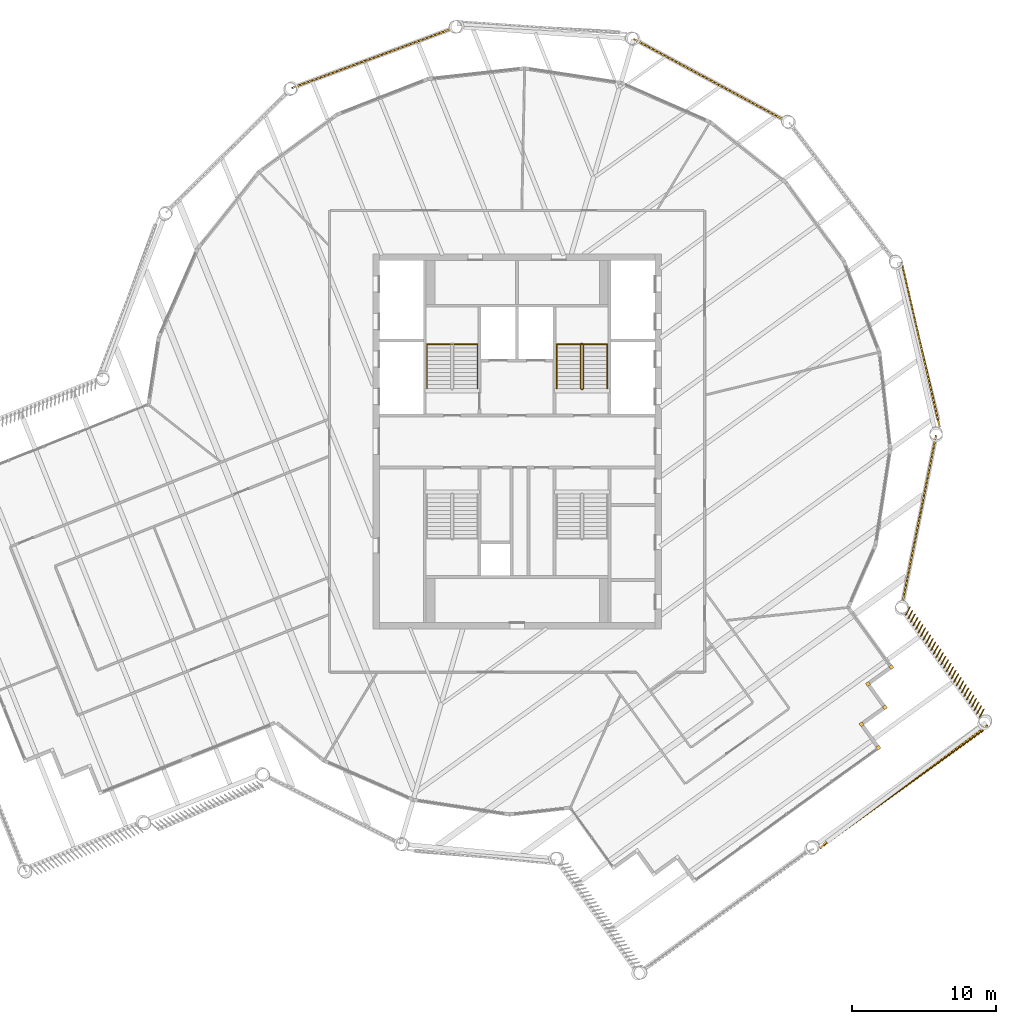
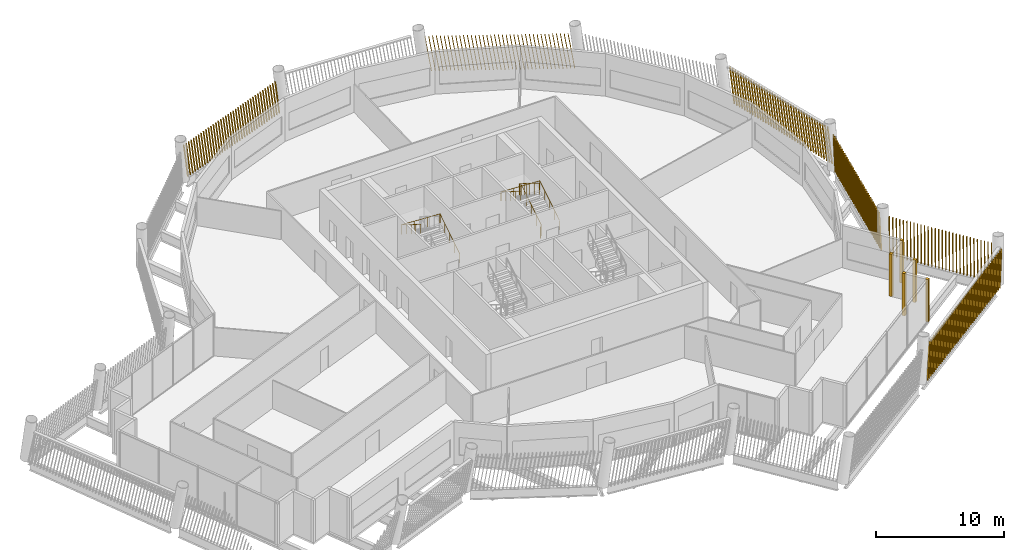
# One storey, part 25 of 27: 11 shading devices, 3 railings.
"""IFC4 building model written with IfcOpenShell, lengths in metres."""

from ifc_helpers import new_model, si_unit, direction, frame, frame_2d, origin, origin_2d, place, context, subcontext, project, spatial, rectangle, circle, composite_profile, extrude, material, type_object, element, save


model = new_model("IFC4")

# Units and contexts
model_context = context("Model", 3, precision=1e-05, world=origin(), true_north=direction((0.0, 1.0)))
body_context = subcontext(model_context, "Body", "Model", "MODEL_VIEW")
ifc_project = project(units=[si_unit("LENGTHUNIT", "METRE"), si_unit("AREAUNIT", "SQUARE_METRE"), si_unit("VOLUMEUNIT", "CUBIC_METRE"), si_unit("PLANEANGLEUNIT", "RADIAN"), si_unit("MASSUNIT", "GRAM", prefix="KILO")], contexts=[model_context])

# Site, building, storey
site_placement = place(None, origin())
site = spatial("IfcSite", under=ifc_project, at=site_placement, CompositionType="ELEMENT")
building_placement = place(site_placement, origin())
building = spatial("IfcBuilding", under=site, at=building_placement, Name="Tarsis Ring Headquarters", CompositionType="ELEMENT")
storey_placement = place(building_placement, frame((0.0, 0.0, 373.39990234375)))
storey = spatial("IfcBuildingStorey", under=building, at=storey_placement, Name="L88", CompositionType="ELEMENT", Elevation=373.39990234375)

# Railings
ifc_material_1 = material(Name="Steel S355", Category="steel")
railing_type_1 = type_object("IfcRailingType", Name="Core stair guard 1100", PredefinedType="GUARDRAIL", material=ifc_material_1)
railing_1_placement = place(storey_placement, frame((4.4599609375, 3.610107421875, 0.0)))
element("IfcRailing", 1, at=railing_1_placement, inside=storey, type_object=railing_type_1, Name="L88 ST2 stair guard 1", PredefinedType="GUARDRAIL", context=body_context, shape_type="SweptSolid", body=[
    extrude(circle(Radius=0.02392578125, at=origin_2d()), frame((0.0, 0.0, 1.076171875), z_axis=(1.0, 0.0, 0.0), x_axis=(0.0, 1.0, 0.0)), (0.0, 0.0, 1.0), 0.080078125),
    extrude(circle(Radius=0.02392578125, at=origin_2d()), frame((0.080078125, 0.0, 1.076171875), z_axis=(0.265155923931, 0.263862480399, 0.927399011991), x_axis=(-0.705375805398, 0.708833529934, 0.0)), (0.0, 0.0, 1.0), 0.188720703125),
    extrude(circle(Radius=0.02392578125, at=origin_2d()), frame((0.130126953125, 0.0498046875, 1.2509765625), z_axis=(0.0, 0.847998304005, 0.529998940003), x_axis=(-1.0, 0.0, 0.0)), (0.0, 0.0, 1.0), 3.632080078125),
    extrude(circle(Radius=0.02392578125, at=origin_2d()), frame((0.130126953125, 3.1298828125, 3.17626953125), z_axis=(-0.707106781187, 0.707106781187, 0.0), x_axis=(-0.707106781187, -0.707106781187, 0.0)), (0.0, 0.0, 1.0), 0.07080078125),
    extrude(circle(Radius=0.02392578125, at=origin_2d()), frame((0.080078125, 3.179931640625, 3.17626953125), z_axis=(-1.0, 0.0, 0.0), x_axis=(0.0, -1.0, 0.0)), (0.0, 0.0, 1.0), 0.080078125),
    extrude(circle(Radius=0.02392578125, at=origin_2d()), frame((0.0, 3.179931640625, 3.17626953125), z_axis=(-0.265065253269, -0.265065253269, 0.927081885822), x_axis=(0.707106781187, -0.707106781187, 0.0)), (0.0, 0.0, 1.0), 0.188720703125),
    extrude(circle(Radius=0.02392578125, at=origin_2d()), frame((-0.050048828125, 3.1298828125, 3.35107421875), z_axis=(0.0, -0.847998304005, 0.529998940003), x_axis=(1.0, 0.0, 0.0)), (0.0, 0.0, 1.0), 3.632080078125),
    extrude(circle(Radius=0.02099609375, at=origin_2d()), origin(), (0.0, 0.0, 1.0), 1.052001953125),
    extrude(circle(Radius=0.02099609375, at=origin_2d()), frame((0.080078125, 0.0, 0.0)), (0.0, 0.0, 1.0), 1.052001953125),
    extrude(circle(Radius=0.02099609375, at=origin_2d()), frame((0.130126953125, 0.0498046875, 0.175048828125)), (0.0, 0.0, 1.0), 1.052001953125),
    extrude(circle(Radius=0.02099609375, at=origin_2d()), frame((0.130126953125, 0.81982421875, 0.65625)), (0.0, 0.0, 1.0), 1.052001953125),
    extrude(circle(Radius=0.02099609375, at=origin_2d()), frame((0.130126953125, 1.58984375, 1.1376953125)), (0.0, 0.0, 1.0), 1.052001953125),
    extrude(circle(Radius=0.02099609375, at=origin_2d()), frame((0.130126953125, 2.35986328125, 1.618896484375)), (0.0, 0.0, 1.0), 1.052001953125),
    extrude(circle(Radius=0.02099609375, at=origin_2d()), frame((0.130126953125, 3.1298828125, 2.10009765625)), (0.0, 0.0, 1.0), 1.052001953125),
    extrude(circle(Radius=0.02099609375, at=origin_2d()), frame((0.080078125, 3.179931640625, 2.10009765625)), (0.0, 0.0, 1.0), 1.052001953125),
    extrude(circle(Radius=0.02099609375, at=origin_2d()), frame((0.0, 3.179931640625, 2.10009765625)), (0.0, 0.0, 1.0), 1.052001953125),
    extrude(circle(Radius=0.02099609375, at=origin_2d()), frame((-0.050048828125, 3.1298828125, 2.275146484375)), (0.0, 0.0, 1.0), 1.052001953125),
    extrude(circle(Radius=0.02099609375, at=origin_2d()), frame((-0.050048828125, 2.35986328125, 2.75634765625)), (0.0, 0.0, 1.0), 1.052001953125),
    extrude(circle(Radius=0.02099609375, at=origin_2d()), frame((-0.050048828125, 1.58984375, 3.23779296875)), (0.0, 0.0, 1.0), 1.052001953125),
    extrude(circle(Radius=0.02099609375, at=origin_2d()), frame((-0.050048828125, 0.81982421875, 3.718994140625)), (0.0, 0.0, 1.0), 1.052001953125),
    extrude(circle(Radius=0.02099609375, at=origin_2d()), frame((-0.050048828125, 0.0498046875, 4.2001953125)), (0.0, 0.0, 1.0), 1.052001953125),
])
railing_type_2 = type_object("IfcRailingType", Name="Core stair handrail 900", PredefinedType="HANDRAIL", material=ifc_material_1)
railing_2_placement = place(storey_placement, frame((-2.75, 3.659912109375, 0.175048828125)))
element("IfcRailing", 2, at=railing_2_placement, inside=storey, type_object=railing_type_2, Name="L88 ST1 stair handrail 1", PredefinedType="HANDRAIL", context=body_context, shape_type="SweptSolid", body=[
    extrude(circle(Radius=0.02392578125, at=origin_2d()), frame((0.0, 0.0, 0.8759765625), z_axis=(0.0, 0.847998304005, 0.529998940003), x_axis=(-1.0, 0.0, 0.0)), (0.0, 0.0, 1.0), 3.632080078125),
    extrude(circle(Radius=0.02392578125, at=origin_2d()), frame((0.0, 3.080078125, 2.80078125), z_axis=(-0.998751643845, 0.0, 0.049951515669), x_axis=(0.0, -1.0, 0.0)), (0.0, 0.0, 1.0), 3.50439453125),
    extrude(circle(Radius=0.02392578125, at=origin_2d()), frame((-3.5, 3.080078125, 2.97607421875), z_axis=(0.0, -0.847998304005, 0.529998940003), x_axis=(1.0, 0.0, 0.0)), (0.0, 0.0, 1.0), 3.632080078125),
    extrude(circle(Radius=0.02099609375, at=origin_2d()), origin(), (0.0, 0.0, 1.0), 0.851806640625),
    extrude(circle(Radius=0.02099609375, at=origin_2d()), frame((0.0, 0.77001953125, 0.481201171875)), (0.0, 0.0, 1.0), 0.851806640625),
    extrude(circle(Radius=0.02099609375, at=origin_2d()), frame((0.0, 1.5400390625, 0.96240234375)), (0.0, 0.0, 1.0), 0.851806640625),
    extrude(circle(Radius=0.02099609375, at=origin_2d()), frame((0.0, 2.31005859375, 1.44384765625)), (0.0, 0.0, 1.0), 0.851806640625),
    extrude(circle(Radius=0.02099609375, at=origin_2d()), frame((0.0, 3.080078125, 1.925048828125)), (0.0, 0.0, 1.0), 0.851806640625),
    extrude(circle(Radius=0.02099609375, at=origin_2d()), frame((-1.166748046875, 3.080078125, 1.9833984375)), (0.0, 0.0, 1.0), 0.851806640625),
    extrude(circle(Radius=0.02099609375, at=origin_2d()), frame((-2.333251953125, 3.080078125, 2.041748046875)), (0.0, 0.0, 1.0), 0.851806640625),
    extrude(circle(Radius=0.02099609375, at=origin_2d()), frame((-3.5, 3.080078125, 2.10009765625)), (0.0, 0.0, 1.0), 0.851806640625),
    extrude(circle(Radius=0.02099609375, at=origin_2d()), frame((-3.5, 2.31005859375, 2.581298828125)), (0.0, 0.0, 1.0), 0.851806640625),
    extrude(circle(Radius=0.02099609375, at=origin_2d()), frame((-3.5, 1.5400390625, 3.0625)), (0.0, 0.0, 1.0), 0.851806640625),
    extrude(circle(Radius=0.02099609375, at=origin_2d()), frame((-3.5, 0.77001953125, 3.5439453125)), (0.0, 0.0, 1.0), 0.851806640625),
    extrude(circle(Radius=0.02099609375, at=origin_2d()), frame((-3.5, 0.0, 4.025146484375)), (0.0, 0.0, 1.0), 0.851806640625),
])
railing_3_placement = place(storey_placement, frame((6.25, 3.659912109375, 0.175048828125)))
element("IfcRailing", 3, at=railing_3_placement, inside=storey, type_object=railing_type_2, Name="L88 ST2 stair handrail 1", PredefinedType="HANDRAIL", context=body_context, shape_type="SweptSolid", body=[
    extrude(circle(Radius=0.02392578125, at=origin_2d()), frame((0.0, 0.0, 0.8759765625), z_axis=(0.0, 0.847998304005, 0.529998940003), x_axis=(-1.0, 0.0, 0.0)), (0.0, 0.0, 1.0), 3.632080078125),
    extrude(circle(Radius=0.02392578125, at=origin_2d()), frame((0.0, 3.080078125, 2.80078125), z_axis=(-0.998751643845, 0.0, 0.049951515669), x_axis=(0.0, -1.0, 0.0)), (0.0, 0.0, 1.0), 3.50439453125),
    extrude(circle(Radius=0.02392578125, at=origin_2d()), frame((-3.5, 3.080078125, 2.97607421875), z_axis=(0.0, -0.847998304005, 0.529998940003), x_axis=(1.0, 0.0, 0.0)), (0.0, 0.0, 1.0), 3.632080078125),
    extrude(circle(Radius=0.02099609375, at=origin_2d()), origin(), (0.0, 0.0, 1.0), 0.851806640625),
    extrude(circle(Radius=0.02099609375, at=origin_2d()), frame((0.0, 0.77001953125, 0.481201171875)), (0.0, 0.0, 1.0), 0.851806640625),
    extrude(circle(Radius=0.02099609375, at=origin_2d()), frame((0.0, 1.5400390625, 0.96240234375)), (0.0, 0.0, 1.0), 0.851806640625),
    extrude(circle(Radius=0.02099609375, at=origin_2d()), frame((0.0, 2.31005859375, 1.44384765625)), (0.0, 0.0, 1.0), 0.851806640625),
    extrude(circle(Radius=0.02099609375, at=origin_2d()), frame((0.0, 3.080078125, 1.925048828125)), (0.0, 0.0, 1.0), 0.851806640625),
    extrude(circle(Radius=0.02099609375, at=origin_2d()), frame((-1.166748046875, 3.080078125, 1.9833984375)), (0.0, 0.0, 1.0), 0.851806640625),
    extrude(circle(Radius=0.02099609375, at=origin_2d()), frame((-2.333251953125, 3.080078125, 2.041748046875)), (0.0, 0.0, 1.0), 0.851806640625),
    extrude(circle(Radius=0.02099609375, at=origin_2d()), frame((-3.5, 3.080078125, 2.10009765625)), (0.0, 0.0, 1.0), 0.851806640625),
    extrude(circle(Radius=0.02099609375, at=origin_2d()), frame((-3.5, 2.31005859375, 2.581298828125)), (0.0, 0.0, 1.0), 0.851806640625),
    extrude(circle(Radius=0.02099609375, at=origin_2d()), frame((-3.5, 1.5400390625, 3.0625)), (0.0, 0.0, 1.0), 0.851806640625),
    extrude(circle(Radius=0.02099609375, at=origin_2d()), frame((-3.5, 0.77001953125, 3.5439453125)), (0.0, 0.0, 1.0), 0.851806640625),
    extrude(circle(Radius=0.02099609375, at=origin_2d()), frame((-3.5, 0.0, 4.025146484375)), (0.0, 0.0, 1.0), 0.851806640625),
])

# Shading devices
ifc_material_2 = material(Name="Terracotta baguette", Category="masonry")
shading_device_type_1 = type_object("IfcShadingDeviceType", Name="Terracotta baguette screen", PredefinedType="USERDEFINED", material=ifc_material_2)
shading_device_1_placement = place(storey_placement, frame((21.001220703125, -28.221923828125, 0.0), z_axis=(0.0, 0.0, 1.0), x_axis=(0.810664496497, 0.585521194537, 0.0)))
element("IfcShadingDevice", 4, at=shading_device_1_placement, inside=storey, type_object=shading_device_type_1, Name="Baguette screen L88-03", ObjectType="Terracotta baguette screen", PredefinedType="USERDEFINED", context=body_context, shape_type="SweptSolid", body=[
    extrude(composite_profile([rectangle(XDim=0.06005859375, YDim=0.1201171875, at=frame_2d((0.030029296875, 0.0))), rectangle(XDim=0.06005859375, YDim=0.1201171875, at=frame_2d((0.33544921875, 0.0))), rectangle(XDim=0.06005859375, YDim=0.1201171875, at=frame_2d((0.640625, 0.0))), rectangle(XDim=0.06005859375, YDim=0.1201171875, at=frame_2d((0.946044921875, 0.0))), rectangle(XDim=0.06005859375, YDim=0.1201171875, at=frame_2d((1.25146484375, 0.0))), rectangle(XDim=0.06005859375, YDim=0.1201171875, at=frame_2d((1.556640625, 0.0))), rectangle(XDim=0.06005859375, YDim=0.1201171875, at=frame_2d((1.862060546875, 0.0))), rectangle(XDim=0.06005859375, YDim=0.1201171875, at=frame_2d((2.16748046875, 0.0))), rectangle(XDim=0.06005859375, YDim=0.1201171875, at=frame_2d((2.47265625, 0.0))), rectangle(XDim=0.06005859375, YDim=0.1201171875, at=frame_2d((2.778076171875, 0.0))), rectangle(XDim=0.06005859375, YDim=0.1201171875, at=frame_2d((3.08349609375, 0.0))), rectangle(XDim=0.06005859375, YDim=0.1201171875, at=frame_2d((3.388671875, 0.0))), rectangle(XDim=0.06005859375, YDim=0.1201171875, at=frame_2d((3.694091796875, 0.0))), rectangle(XDim=0.06005859375, YDim=0.1201171875, at=frame_2d((3.99951171875, 0.0))), rectangle(XDim=0.06005859375, YDim=0.1201171875, at=frame_2d((4.3046875, 0.0))), rectangle(XDim=0.06005859375, YDim=0.1201171875, at=frame_2d((4.610107421875, 0.0))), rectangle(XDim=0.06005859375, YDim=0.1201171875, at=frame_2d((4.91552734375, 0.0))), rectangle(XDim=0.06005859375, YDim=0.1201171875, at=frame_2d((5.220703125, 0.0))), rectangle(XDim=0.06005859375, YDim=0.1201171875, at=frame_2d((5.526123046875, 0.0))), rectangle(XDim=0.06005859375, YDim=0.1201171875, at=frame_2d((5.83154296875, 0.0))), rectangle(XDim=0.06005859375, YDim=0.1201171875, at=frame_2d((6.13671875, 0.0))), rectangle(XDim=0.06005859375, YDim=0.1201171875, at=frame_2d((6.442138671875, 0.0))), rectangle(XDim=0.06005859375, YDim=0.1201171875, at=frame_2d((6.74755859375, 0.0))), rectangle(XDim=0.06005859375, YDim=0.1201171875, at=frame_2d((7.052734375, 0.0))), rectangle(XDim=0.06005859375, YDim=0.1201171875, at=frame_2d((7.358154296875, 0.0))), rectangle(XDim=0.06005859375, YDim=0.1201171875, at=frame_2d((7.66357421875, 0.0))), rectangle(XDim=0.06005859375, YDim=0.1201171875, at=frame_2d((7.96875, 0.0))), rectangle(XDim=0.06005859375, YDim=0.1201171875, at=frame_2d((8.274169921875, 0.0))), rectangle(XDim=0.06005859375, YDim=0.1201171875, at=frame_2d((8.57958984375, 0.0))), rectangle(XDim=0.06005859375, YDim=0.1201171875, at=frame_2d((8.884765625, 0.0))), rectangle(XDim=0.06005859375, YDim=0.1201171875, at=frame_2d((9.190185546875, 0.0))), rectangle(XDim=0.06005859375, YDim=0.1201171875, at=frame_2d((9.49560546875, 0.0))), rectangle(XDim=0.06005859375, YDim=0.1201171875, at=frame_2d((9.80078125, 0.0))), rectangle(XDim=0.06005859375, YDim=0.1201171875, at=frame_2d((10.106201171875, 0.0))), rectangle(XDim=0.06005859375, YDim=0.1201171875, at=frame_2d((10.41162109375, 0.0))), rectangle(XDim=0.06005859375, YDim=0.1201171875, at=frame_2d((10.716796875, 0.0))), rectangle(XDim=0.06005859375, YDim=0.1201171875, at=frame_2d((11.022216796875, 0.0))), rectangle(XDim=0.06005859375, YDim=0.1201171875, at=frame_2d((11.32763671875, 0.0))), rectangle(XDim=0.06005859375, YDim=0.1201171875, at=frame_2d((11.6328125, 0.0))), rectangle(XDim=0.06005859375, YDim=0.1201171875, at=frame_2d((11.938232421875, 0.0))), rectangle(XDim=0.06005859375, YDim=0.1201171875, at=frame_2d((12.24365234375, 0.0))), rectangle(XDim=0.06005859375, YDim=0.1201171875, at=frame_2d((12.548828125, 0.0))), rectangle(XDim=0.06005859375, YDim=0.1201171875, at=frame_2d((12.854248046875, 0.0))), rectangle(XDim=0.06005859375, YDim=0.1201171875, at=frame_2d((13.15966796875, 0.0))), rectangle(XDim=0.06005859375, YDim=0.1201171875, at=frame_2d((13.46484375, 0.0))), rectangle(XDim=0.06005859375, YDim=0.1201171875, at=frame_2d((13.770263671875, 0.0)))]), origin(), (0.190513872852, 0.041890352026, 0.980790325532), 3.3447265625),
])
shading_device_2_placement = place(storey_placement, frame((32.0810546875, -19.1396484375, 0.0), z_axis=(0.0, 0.0, 1.0), x_axis=(-0.585519383284, 0.810659419888, 0.0)))
element("IfcShadingDevice", 5, at=shading_device_2_placement, inside=storey, type_object=shading_device_type_1, Name="Baguette screen L88-04", ObjectType="Terracotta baguette screen", PredefinedType="USERDEFINED", context=body_context, shape_type="SweptSolid", body=[
    extrude(composite_profile([rectangle(XDim=0.06005859375, YDim=0.1201171875, at=frame_2d((0.030029296875, 0.0))), rectangle(XDim=0.06005859375, YDim=0.1201171875, at=frame_2d((0.33154296875, 0.0))), rectangle(XDim=0.06005859375, YDim=0.1201171875, at=frame_2d((0.633056640625, 0.0))), rectangle(XDim=0.06005859375, YDim=0.1201171875, at=frame_2d((0.9345703125, 0.0))), rectangle(XDim=0.06005859375, YDim=0.1201171875, at=frame_2d((1.236083984375, 0.0))), rectangle(XDim=0.06005859375, YDim=0.1201171875, at=frame_2d((1.53759765625, 0.0))), rectangle(XDim=0.06005859375, YDim=0.1201171875, at=frame_2d((1.839111328125, 0.0))), rectangle(XDim=0.06005859375, YDim=0.1201171875, at=frame_2d((2.140625, 0.0))), rectangle(XDim=0.06005859375, YDim=0.1201171875, at=frame_2d((2.442138671875, 0.0))), rectangle(XDim=0.06005859375, YDim=0.1201171875, at=frame_2d((2.74365234375, 0.0))), rectangle(XDim=0.06005859375, YDim=0.1201171875, at=frame_2d((3.045166015625, 0.0))), rectangle(XDim=0.06005859375, YDim=0.1201171875, at=frame_2d((3.3466796875, 0.0))), rectangle(XDim=0.06005859375, YDim=0.1201171875, at=frame_2d((3.648193359375, 0.0))), rectangle(XDim=0.06005859375, YDim=0.1201171875, at=frame_2d((3.94970703125, 0.0))), rectangle(XDim=0.06005859375, YDim=0.1201171875, at=frame_2d((4.251220703125, 0.0))), rectangle(XDim=0.06005859375, YDim=0.1201171875, at=frame_2d((4.552978515625, 0.0))), rectangle(XDim=0.06005859375, YDim=0.1201171875, at=frame_2d((4.8544921875, 0.0))), rectangle(XDim=0.06005859375, YDim=0.1201171875, at=frame_2d((5.156005859375, 0.0))), rectangle(XDim=0.06005859375, YDim=0.1201171875, at=frame_2d((5.45751953125, 0.0))), rectangle(XDim=0.06005859375, YDim=0.1201171875, at=frame_2d((5.759033203125, 0.0))), rectangle(XDim=0.06005859375, YDim=0.1201171875, at=frame_2d((6.060546875, 0.0))), rectangle(XDim=0.06005859375, YDim=0.1201171875, at=frame_2d((6.362060546875, 0.0))), rectangle(XDim=0.06005859375, YDim=0.1201171875, at=frame_2d((6.66357421875, 0.0))), rectangle(XDim=0.06005859375, YDim=0.1201171875, at=frame_2d((6.965087890625, 0.0))), rectangle(XDim=0.06005859375, YDim=0.1201171875, at=frame_2d((7.2666015625, 0.0))), rectangle(XDim=0.06005859375, YDim=0.1201171875, at=frame_2d((7.568115234375, 0.0))), rectangle(XDim=0.06005859375, YDim=0.1201171875, at=frame_2d((7.86962890625, 0.0))), rectangle(XDim=0.06005859375, YDim=0.1201171875, at=frame_2d((8.171142578125, 0.0))), rectangle(XDim=0.06005859375, YDim=0.1201171875, at=frame_2d((8.47265625, 0.0))), rectangle(XDim=0.06005859375, YDim=0.1201171875, at=frame_2d((8.774169921875, 0.0)))]), origin(), (0.082002799387, -0.161938995805, 0.983387666452), 3.3359375),
])
shading_device_3_placement = place(storey_placement, frame((26.731689453125, -11.106689453125, 0.0), z_axis=(0.0, 0.0, 1.0), x_axis=(0.196944046534, 0.980422798107, 0.0)))
element("IfcShadingDevice", 6, at=shading_device_3_placement, inside=storey, type_object=shading_device_type_1, Name="Baguette screen L88-05", ObjectType="Terracotta baguette screen", PredefinedType="USERDEFINED", context=body_context, shape_type="SweptSolid", body=[
    extrude(composite_profile([rectangle(XDim=0.06005859375, YDim=0.1201171875, at=frame_2d((0.030029296875, 0.0))), rectangle(XDim=0.06005859375, YDim=0.1201171875, at=frame_2d((0.33251953125, 0.0))), rectangle(XDim=0.06005859375, YDim=0.1201171875, at=frame_2d((0.634765625, 0.0))), rectangle(XDim=0.06005859375, YDim=0.1201171875, at=frame_2d((0.937255859375, 0.0))), rectangle(XDim=0.06005859375, YDim=0.1201171875, at=frame_2d((1.239501953125, 0.0))), rectangle(XDim=0.06005859375, YDim=0.1201171875, at=frame_2d((1.5419921875, 0.0))), rectangle(XDim=0.06005859375, YDim=0.1201171875, at=frame_2d((1.844482421875, 0.0))), rectangle(XDim=0.06005859375, YDim=0.1201171875, at=frame_2d((2.146728515625, 0.0))), rectangle(XDim=0.06005859375, YDim=0.1201171875, at=frame_2d((2.44921875, 0.0))), rectangle(XDim=0.06005859375, YDim=0.1201171875, at=frame_2d((2.751708984375, 0.0))), rectangle(XDim=0.06005859375, YDim=0.1201171875, at=frame_2d((3.053955078125, 0.0))), rectangle(XDim=0.06005859375, YDim=0.1201171875, at=frame_2d((3.3564453125, 0.0))), rectangle(XDim=0.06005859375, YDim=0.1201171875, at=frame_2d((3.65869140625, 0.0))), rectangle(XDim=0.06005859375, YDim=0.1201171875, at=frame_2d((3.961181640625, 0.0))), rectangle(XDim=0.06005859375, YDim=0.1201171875, at=frame_2d((4.263671875, 0.0))), rectangle(XDim=0.06005859375, YDim=0.1201171875, at=frame_2d((4.56591796875, 0.0))), rectangle(XDim=0.06005859375, YDim=0.1201171875, at=frame_2d((4.868408203125, 0.0))), rectangle(XDim=0.06005859375, YDim=0.1201171875, at=frame_2d((5.1708984375, 0.0))), rectangle(XDim=0.06005859375, YDim=0.1201171875, at=frame_2d((5.47314453125, 0.0))), rectangle(XDim=0.06005859375, YDim=0.1201171875, at=frame_2d((5.775634765625, 0.0))), rectangle(XDim=0.06005859375, YDim=0.1201171875, at=frame_2d((6.077880859375, 0.0))), rectangle(XDim=0.06005859375, YDim=0.1201171875, at=frame_2d((6.38037109375, 0.0))), rectangle(XDim=0.06005859375, YDim=0.1201171875, at=frame_2d((6.682861328125, 0.0))), rectangle(XDim=0.06005859375, YDim=0.1201171875, at=frame_2d((6.985107421875, 0.0))), rectangle(XDim=0.06005859375, YDim=0.1201171875, at=frame_2d((7.28759765625, 0.0))), rectangle(XDim=0.06005859375, YDim=0.1201171875, at=frame_2d((7.590087890625, 0.0))), rectangle(XDim=0.06005859375, YDim=0.1201171875, at=frame_2d((7.892333984375, 0.0))), rectangle(XDim=0.06005859375, YDim=0.1201171875, at=frame_2d((8.19482421875, 0.0))), rectangle(XDim=0.06005859375, YDim=0.1201171875, at=frame_2d((8.4970703125, 0.0))), rectangle(XDim=0.06005859375, YDim=0.1201171875, at=frame_2d((8.799560546875, 0.0))), rectangle(XDim=0.06005859375, YDim=0.1201171875, at=frame_2d((9.10205078125, 0.0))), rectangle(XDim=0.06005859375, YDim=0.1201171875, at=frame_2d((9.404296875, 0.0))), rectangle(XDim=0.06005859375, YDim=0.1201171875, at=frame_2d((9.706787109375, 0.0))), rectangle(XDim=0.06005859375, YDim=0.1201171875, at=frame_2d((10.00927734375, 0.0))), rectangle(XDim=0.06005859375, YDim=0.1201171875, at=frame_2d((10.3115234375, 0.0))), rectangle(XDim=0.06005859375, YDim=0.1201171875, at=frame_2d((10.614013671875, 0.0))), rectangle(XDim=0.06005859375, YDim=0.1201171875, at=frame_2d((10.916259765625, 0.0))), rectangle(XDim=0.06005859375, YDim=0.1201171875, at=frame_2d((11.21875, 0.0)))]), origin(), (0.155204112418, 0.001407226859, 0.98788142163), 3.32080078125),
])
shading_device_4_placement = place(storey_placement, frame((29.298583984375, 0.9833984375, 0.0), z_axis=(0.0, 0.0, 1.0), x_axis=(-0.22467715681, 0.974432989691, 0.0)))
element("IfcShadingDevice", 7, at=shading_device_4_placement, inside=storey, type_object=shading_device_type_1, Name="Baguette screen L88-06", ObjectType="Terracotta baguette screen", PredefinedType="USERDEFINED", context=body_context, shape_type="SweptSolid", body=[
    extrude(composite_profile([rectangle(XDim=0.06005859375, YDim=0.1201171875, at=frame_2d((0.030029296875, 0.0))), rectangle(XDim=0.06005859375, YDim=0.1201171875, at=frame_2d((0.33251953125, 0.0))), rectangle(XDim=0.06005859375, YDim=0.1201171875, at=frame_2d((0.634765625, 0.0))), rectangle(XDim=0.06005859375, YDim=0.1201171875, at=frame_2d((0.937255859375, 0.0))), rectangle(XDim=0.06005859375, YDim=0.1201171875, at=frame_2d((1.239501953125, 0.0))), rectangle(XDim=0.06005859375, YDim=0.1201171875, at=frame_2d((1.5419921875, 0.0))), rectangle(XDim=0.06005859375, YDim=0.1201171875, at=frame_2d((1.844482421875, 0.0))), rectangle(XDim=0.06005859375, YDim=0.1201171875, at=frame_2d((2.146728515625, 0.0))), rectangle(XDim=0.06005859375, YDim=0.1201171875, at=frame_2d((2.44921875, 0.0))), rectangle(XDim=0.06005859375, YDim=0.1201171875, at=frame_2d((2.751708984375, 0.0))), rectangle(XDim=0.06005859375, YDim=0.1201171875, at=frame_2d((3.053955078125, 0.0))), rectangle(XDim=0.06005859375, YDim=0.1201171875, at=frame_2d((3.3564453125, 0.0))), rectangle(XDim=0.06005859375, YDim=0.1201171875, at=frame_2d((3.65869140625, 0.0))), rectangle(XDim=0.06005859375, YDim=0.1201171875, at=frame_2d((3.961181640625, 0.0))), rectangle(XDim=0.06005859375, YDim=0.1201171875, at=frame_2d((4.263671875, 0.0))), rectangle(XDim=0.06005859375, YDim=0.1201171875, at=frame_2d((4.56591796875, 0.0))), rectangle(XDim=0.06005859375, YDim=0.1201171875, at=frame_2d((4.868408203125, 0.0))), rectangle(XDim=0.06005859375, YDim=0.1201171875, at=frame_2d((5.1708984375, 0.0))), rectangle(XDim=0.06005859375, YDim=0.1201171875, at=frame_2d((5.47314453125, 0.0))), rectangle(XDim=0.06005859375, YDim=0.1201171875, at=frame_2d((5.775634765625, 0.0))), rectangle(XDim=0.06005859375, YDim=0.1201171875, at=frame_2d((6.077880859375, 0.0))), rectangle(XDim=0.06005859375, YDim=0.1201171875, at=frame_2d((6.38037109375, 0.0))), rectangle(XDim=0.06005859375, YDim=0.1201171875, at=frame_2d((6.682861328125, 0.0))), rectangle(XDim=0.06005859375, YDim=0.1201171875, at=frame_2d((6.985107421875, 0.0))), rectangle(XDim=0.06005859375, YDim=0.1201171875, at=frame_2d((7.28759765625, 0.0))), rectangle(XDim=0.06005859375, YDim=0.1201171875, at=frame_2d((7.590087890625, 0.0))), rectangle(XDim=0.06005859375, YDim=0.1201171875, at=frame_2d((7.892333984375, 0.0))), rectangle(XDim=0.06005859375, YDim=0.1201171875, at=frame_2d((8.19482421875, 0.0))), rectangle(XDim=0.06005859375, YDim=0.1201171875, at=frame_2d((8.4970703125, 0.0))), rectangle(XDim=0.06005859375, YDim=0.1201171875, at=frame_2d((8.799560546875, 0.0))), rectangle(XDim=0.06005859375, YDim=0.1201171875, at=frame_2d((9.10205078125, 0.0))), rectangle(XDim=0.06005859375, YDim=0.1201171875, at=frame_2d((9.404296875, 0.0))), rectangle(XDim=0.06005859375, YDim=0.1201171875, at=frame_2d((9.706787109375, 0.0))), rectangle(XDim=0.06005859375, YDim=0.1201171875, at=frame_2d((10.00927734375, 0.0))), rectangle(XDim=0.06005859375, YDim=0.1201171875, at=frame_2d((10.3115234375, 0.0))), rectangle(XDim=0.06005859375, YDim=0.1201171875, at=frame_2d((10.614013671875, 0.0))), rectangle(XDim=0.06005859375, YDim=0.1201171875, at=frame_2d((10.916259765625, 0.0))), rectangle(XDim=0.06005859375, YDim=0.1201171875, at=frame_2d((11.21875, 0.0)))]), origin(), (0.157202035673, 0.001426405324, 0.987565433451), 3.32177734375),
])
shading_device_5_placement = place(storey_placement, frame((18.42626953125, 22.3251953125, 0.0), z_axis=(0.0, 0.0, 1.0), x_axis=(-0.880217037439, 0.474574064026, 0.0)))
element("IfcShadingDevice", 8, at=shading_device_5_placement, inside=storey, type_object=shading_device_type_1, Name="Baguette screen L88-08", ObjectType="Terracotta baguette screen", PredefinedType="USERDEFINED", context=body_context, shape_type="SweptSolid", body=[
    extrude(composite_profile([rectangle(XDim=0.06005859375, YDim=0.1201171875, at=frame_2d((0.030029296875, 0.0))), rectangle(XDim=0.06005859375, YDim=0.1201171875, at=frame_2d((0.33251953125, 0.0))), rectangle(XDim=0.06005859375, YDim=0.1201171875, at=frame_2d((0.634765625, 0.0))), rectangle(XDim=0.06005859375, YDim=0.1201171875, at=frame_2d((0.937255859375, 0.0))), rectangle(XDim=0.06005859375, YDim=0.1201171875, at=frame_2d((1.239501953125, 0.0))), rectangle(XDim=0.06005859375, YDim=0.1201171875, at=frame_2d((1.5419921875, 0.0))), rectangle(XDim=0.06005859375, YDim=0.1201171875, at=frame_2d((1.844482421875, 0.0))), rectangle(XDim=0.06005859375, YDim=0.1201171875, at=frame_2d((2.146728515625, 0.0))), rectangle(XDim=0.06005859375, YDim=0.1201171875, at=frame_2d((2.44921875, 0.0))), rectangle(XDim=0.06005859375, YDim=0.1201171875, at=frame_2d((2.751708984375, 0.0))), rectangle(XDim=0.06005859375, YDim=0.1201171875, at=frame_2d((3.053955078125, 0.0))), rectangle(XDim=0.06005859375, YDim=0.1201171875, at=frame_2d((3.3564453125, 0.0))), rectangle(XDim=0.06005859375, YDim=0.1201171875, at=frame_2d((3.65869140625, 0.0))), rectangle(XDim=0.06005859375, YDim=0.1201171875, at=frame_2d((3.961181640625, 0.0))), rectangle(XDim=0.06005859375, YDim=0.1201171875, at=frame_2d((4.263671875, 0.0))), rectangle(XDim=0.06005859375, YDim=0.1201171875, at=frame_2d((4.56591796875, 0.0))), rectangle(XDim=0.06005859375, YDim=0.1201171875, at=frame_2d((4.868408203125, 0.0))), rectangle(XDim=0.06005859375, YDim=0.1201171875, at=frame_2d((5.1708984375, 0.0))), rectangle(XDim=0.06005859375, YDim=0.1201171875, at=frame_2d((5.47314453125, 0.0))), rectangle(XDim=0.06005859375, YDim=0.1201171875, at=frame_2d((5.775634765625, 0.0))), rectangle(XDim=0.06005859375, YDim=0.1201171875, at=frame_2d((6.077880859375, 0.0))), rectangle(XDim=0.06005859375, YDim=0.1201171875, at=frame_2d((6.38037109375, 0.0))), rectangle(XDim=0.06005859375, YDim=0.1201171875, at=frame_2d((6.682861328125, 0.0))), rectangle(XDim=0.06005859375, YDim=0.1201171875, at=frame_2d((6.985107421875, 0.0))), rectangle(XDim=0.06005859375, YDim=0.1201171875, at=frame_2d((7.28759765625, 0.0))), rectangle(XDim=0.06005859375, YDim=0.1201171875, at=frame_2d((7.590087890625, 0.0))), rectangle(XDim=0.06005859375, YDim=0.1201171875, at=frame_2d((7.892333984375, 0.0))), rectangle(XDim=0.06005859375, YDim=0.1201171875, at=frame_2d((8.19482421875, 0.0))), rectangle(XDim=0.06005859375, YDim=0.1201171875, at=frame_2d((8.4970703125, 0.0))), rectangle(XDim=0.06005859375, YDim=0.1201171875, at=frame_2d((8.799560546875, 0.0))), rectangle(XDim=0.06005859375, YDim=0.1201171875, at=frame_2d((9.10205078125, 0.0))), rectangle(XDim=0.06005859375, YDim=0.1201171875, at=frame_2d((9.404296875, 0.0))), rectangle(XDim=0.06005859375, YDim=0.1201171875, at=frame_2d((9.706787109375, 0.0))), rectangle(XDim=0.06005859375, YDim=0.1201171875, at=frame_2d((10.00927734375, 0.0))), rectangle(XDim=0.06005859375, YDim=0.1201171875, at=frame_2d((10.3115234375, 0.0))), rectangle(XDim=0.06005859375, YDim=0.1201171875, at=frame_2d((10.614013671875, 0.0))), rectangle(XDim=0.06005859375, YDim=0.1201171875, at=frame_2d((10.916259765625, 0.0))), rectangle(XDim=0.06005859375, YDim=0.1201171875, at=frame_2d((11.21875, 0.0)))]), origin(), (0.15520303048, 0.001409535618, 0.987881588319), 3.32080078125),
])
shading_device_6_placement = place(storey_placement, frame((-4.603271484375, 28.578857421875, 0.0), z_axis=(0.0, 0.0, 1.0), x_axis=(-0.937558328812, -0.347824199674, 0.0)))
element("IfcShadingDevice", 9, at=shading_device_6_placement, inside=storey, type_object=shading_device_type_1, Name="Baguette screen L88-10", ObjectType="Terracotta baguette screen", PredefinedType="USERDEFINED", context=body_context, shape_type="SweptSolid", body=[
    extrude(composite_profile([rectangle(XDim=0.06005859375, YDim=0.1201171875, at=frame_2d((0.030029296875, 0.0))), rectangle(XDim=0.06005859375, YDim=0.1201171875, at=frame_2d((0.33251953125, 0.0))), rectangle(XDim=0.06005859375, YDim=0.1201171875, at=frame_2d((0.634765625, 0.0))), rectangle(XDim=0.06005859375, YDim=0.1201171875, at=frame_2d((0.937255859375, 0.0))), rectangle(XDim=0.06005859375, YDim=0.1201171875, at=frame_2d((1.239501953125, 0.0))), rectangle(XDim=0.06005859375, YDim=0.1201171875, at=frame_2d((1.5419921875, 0.0))), rectangle(XDim=0.06005859375, YDim=0.1201171875, at=frame_2d((1.844482421875, 0.0))), rectangle(XDim=0.06005859375, YDim=0.1201171875, at=frame_2d((2.146728515625, 0.0))), rectangle(XDim=0.06005859375, YDim=0.1201171875, at=frame_2d((2.44921875, 0.0))), rectangle(XDim=0.06005859375, YDim=0.1201171875, at=frame_2d((2.751708984375, 0.0))), rectangle(XDim=0.06005859375, YDim=0.1201171875, at=frame_2d((3.053955078125, 0.0))), rectangle(XDim=0.06005859375, YDim=0.1201171875, at=frame_2d((3.3564453125, 0.0))), rectangle(XDim=0.06005859375, YDim=0.1201171875, at=frame_2d((3.65869140625, 0.0))), rectangle(XDim=0.06005859375, YDim=0.1201171875, at=frame_2d((3.961181640625, 0.0))), rectangle(XDim=0.06005859375, YDim=0.1201171875, at=frame_2d((4.263671875, 0.0))), rectangle(XDim=0.06005859375, YDim=0.1201171875, at=frame_2d((4.56591796875, 0.0))), rectangle(XDim=0.06005859375, YDim=0.1201171875, at=frame_2d((4.868408203125, 0.0))), rectangle(XDim=0.06005859375, YDim=0.1201171875, at=frame_2d((5.1708984375, 0.0))), rectangle(XDim=0.06005859375, YDim=0.1201171875, at=frame_2d((5.47314453125, 0.0))), rectangle(XDim=0.06005859375, YDim=0.1201171875, at=frame_2d((5.775634765625, 0.0))), rectangle(XDim=0.06005859375, YDim=0.1201171875, at=frame_2d((6.077880859375, 0.0))), rectangle(XDim=0.06005859375, YDim=0.1201171875, at=frame_2d((6.38037109375, 0.0))), rectangle(XDim=0.06005859375, YDim=0.1201171875, at=frame_2d((6.682861328125, 0.0))), rectangle(XDim=0.06005859375, YDim=0.1201171875, at=frame_2d((6.985107421875, 0.0))), rectangle(XDim=0.06005859375, YDim=0.1201171875, at=frame_2d((7.28759765625, 0.0))), rectangle(XDim=0.06005859375, YDim=0.1201171875, at=frame_2d((7.590087890625, 0.0))), rectangle(XDim=0.06005859375, YDim=0.1201171875, at=frame_2d((7.892333984375, 0.0))), rectangle(XDim=0.06005859375, YDim=0.1201171875, at=frame_2d((8.19482421875, 0.0))), rectangle(XDim=0.06005859375, YDim=0.1201171875, at=frame_2d((8.4970703125, 0.0))), rectangle(XDim=0.06005859375, YDim=0.1201171875, at=frame_2d((8.799560546875, 0.0))), rectangle(XDim=0.06005859375, YDim=0.1201171875, at=frame_2d((9.10205078125, 0.0))), rectangle(XDim=0.06005859375, YDim=0.1201171875, at=frame_2d((9.404296875, 0.0))), rectangle(XDim=0.06005859375, YDim=0.1201171875, at=frame_2d((9.706787109375, 0.0))), rectangle(XDim=0.06005859375, YDim=0.1201171875, at=frame_2d((10.00927734375, 0.0))), rectangle(XDim=0.06005859375, YDim=0.1201171875, at=frame_2d((10.3115234375, 0.0))), rectangle(XDim=0.06005859375, YDim=0.1201171875, at=frame_2d((10.614013671875, 0.0))), rectangle(XDim=0.06005859375, YDim=0.1201171875, at=frame_2d((10.916259765625, 0.0))), rectangle(XDim=0.06005859375, YDim=0.1201171875, at=frame_2d((11.21875, 0.0)))]), origin(), (0.155202706685, 0.001407165103, 0.987881642569), 3.32080078125),
])
shading_device_type_2 = type_object("IfcShadingDeviceType", Name="Terracotta corner baguette 250x250", PredefinedType="USERDEFINED", material=ifc_material_2)
for number, where, z_axis, x_axis, name in (
    (10, (25.04736328125, -21.228515625, 0.0), (0.0, 0.0, 1.0), (0.810655254094, 0.585523747605, 0.0), "Corner baguette L88-12"),
    (11, (23.87646484375, -19.607421875, 0.0), (0.0, 0.0, 1.0), (-0.585523790051, 0.810655223436, 0.0), "Corner baguette L88-13"),
    (12, (25.497802734375, -18.436279296875, 0.0), (0.0, 0.0, 1.0), (0.81065545848, 0.585523464633, 0.0), "Corner baguette L88-14"),
    (13, (24.32666015625, -16.81494140625, 0.0), (0.0, 0.0, 1.0), (-0.585523464633, 0.81065545848, 0.0), "Corner baguette L88-15"),
    (14, (25.947998046875, -15.643798828125, 0.0), (0.0, 0.0, 1.0), (0.810655223436, 0.585523790051, 0.0), "Corner baguette L88-16"),
):
    element("IfcShadingDevice", number, at=place(storey_placement, frame(where, z_axis=z_axis, x_axis=x_axis)), inside=storey, type_object=shading_device_type_2, Name=name, ObjectType="Terracotta corner baguette", PredefinedType="USERDEFINED", context=body_context, shape_type="SweptSolid", body=[
        extrude(rectangle(XDim=0.25, YDim=0.25, at=origin_2d()), origin(), (0.0, 0.0, 1.0), 4.0400390625),
    ])

save(model, "model.ifc")
